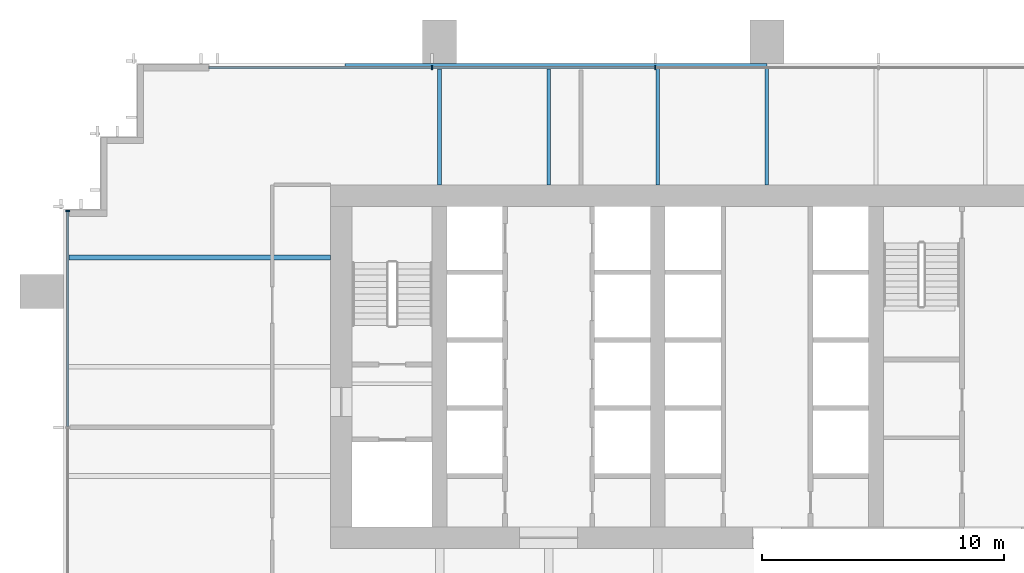
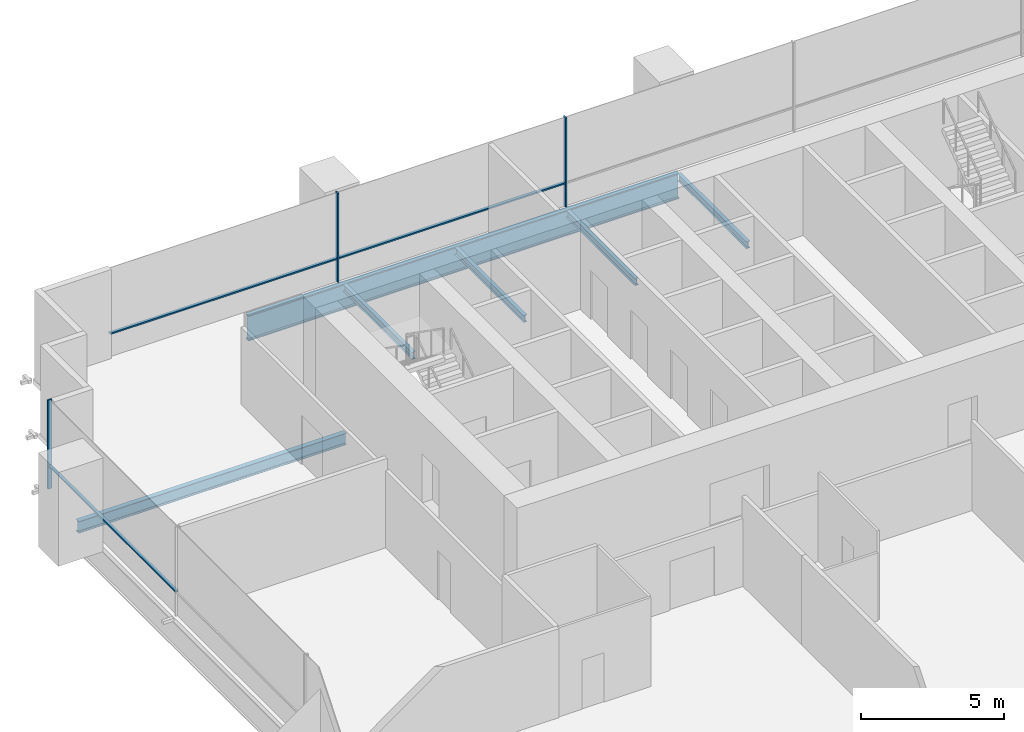
# One storey, part 7 of 14: 6 beams, 6 members, 2 elements without a shape of their own.
"""IFC4 building model written with IfcOpenShell, lengths in metres."""

from ifc_helpers import new_model, si_unit, direction, frame, origin, origin_2d, place, context, subcontext, project, spatial, rectangle, i_section, extrude, material, material_profile, profile_set, type_object, element, aggregate, save


model = new_model("IFC4")

# Units and contexts
model_context = context("Model", 3, precision=1e-05, world=origin(), true_north=direction((0.0, 1.0)))
body_context = subcontext(model_context, "Body", "Model", "MODEL_VIEW")
ifc_project = project(units=[si_unit("LENGTHUNIT", "METRE"), si_unit("AREAUNIT", "SQUARE_METRE"), si_unit("VOLUMEUNIT", "CUBIC_METRE"), si_unit("PLANEANGLEUNIT", "RADIAN"), si_unit("MASSUNIT", "GRAM", prefix="KILO")], contexts=[model_context])

# Site, building, storey
site_placement = place(None, origin())
site = spatial("IfcSite", under=ifc_project, at=site_placement, CompositionType="ELEMENT")
building_placement = place(site_placement, origin())
building = spatial("IfcBuilding", under=site, at=building_placement, Name="Rattan Terrace Tower", CompositionType="ELEMENT")
storey_placement = place(building_placement, frame((0.0, 0.0, 154.10009765625)))
storey = spatial("IfcBuildingStorey", under=building, at=storey_placement, Name="L35", CompositionType="ELEMENT", Elevation=154.10009765625)

# Curtain wall, members
ifc_material_1 = material(Name="Aluminium and glass", Category="aluminium")
curtain_wall_type = type_object("IfcCurtainWallType", Name="Facade Unitised Curtain Wall", PredefinedType="NOTDEFINED", material=ifc_material_1)
curtain_wall_1_placement = place(storey_placement, origin())
curtain_wall_1 = element("IfcCurtainWall", 1, at=curtain_wall_1_placement, inside=storey, type_object=curtain_wall_type, Name="Curtain wall L35-2", PredefinedType="NOTDEFINED")
ifc_material_2 = material(Name="Aluminium", Category="aluminium")
ifc_material_profile_1 = material_profile(ifc_material_2, rectangle(XDim=0.06005859375, YDim=0.159912109375, at=origin_2d()), Name="Aluminium 60x160")
ifc_profile_set_1 = profile_set([ifc_material_profile_1], Name="Aluminium")
member_type_1 = type_object("IfcMemberType", Name="Facade CW Mullion 60x160", PredefinedType="MULLION", material=ifc_profile_set_1)
member_1_placement = place(storey_placement, frame((-4.60302734375, 12.330078125, 0.0), z_axis=(0.0, 0.0, 1.0), x_axis=(-1.0, 0.0, 0.0)))
member_1 = element("IfcMember", 2, at=member_1_placement, type_object=member_type_1, Name="Mullion cwl-L35-002.4", PredefinedType="MULLION", context=body_context, shape_type="SweptSolid", body=[
    extrude(rectangle(XDim=0.06005859375, YDim=0.159912109375, at=origin_2d()), origin(), (0.0, 0.0, 1.0), 3.7998046875),
])
member_2_placement = place(storey_placement, frame((-13.803955078125, 12.330078125, 0.0), z_axis=(0.0, 0.0, 1.0), x_axis=(-1.0, 0.0, 0.0)))
member_2 = element("IfcMember", 3, at=member_2_placement, type_object=member_type_1, Name="Mullion cwl-L35-002.5", PredefinedType="MULLION", context=body_context, shape_type="SweptSolid", body=[
    extrude(rectangle(XDim=0.06005859375, YDim=0.159912109375, at=origin_2d()), origin(), (0.0, 0.0, 1.0), 3.7998046875),
])

# Curtain wall, member
curtain_wall_2_placement = place(storey_placement, origin())
curtain_wall_2 = element("IfcCurtainWall", 4, at=curtain_wall_2_placement, inside=storey, type_object=curtain_wall_type, Name="Curtain wall L35-3", PredefinedType="NOTDEFINED")
member_3_placement = place(storey_placement, frame((-28.830078125, 6.425048828125, 0.0), z_axis=(0.0, 0.0, 1.0), x_axis=(0.0, -1.0, 0.0)))
member_3 = element("IfcMember", 5, at=member_3_placement, type_object=member_type_1, Name="Mullion cwl-L35-003.1", PredefinedType="MULLION", context=body_context, shape_type="SweptSolid", body=[
    extrude(rectangle(XDim=0.06005859375, YDim=0.159912109375, at=origin_2d()), origin(), (0.0, 0.0, 1.0), 3.7998046875),
])

# Member
ifc_material_3 = material(Name="Aluminium", Category="aluminium")
ifc_material_profile_2 = material_profile(ifc_material_3, rectangle(XDim=0.1201171875, YDim=0.06005859375, at=origin_2d()), Name="Aluminium 120x60")
ifc_profile_set_2 = profile_set([ifc_material_profile_2], Name="Aluminium")
member_type_2 = type_object("IfcMemberType", Name="Facade CW Transom 120x60", PredefinedType="USERDEFINED", material=ifc_profile_set_2)
member_4_placement = place(storey_placement, frame((-4.633056640625, 12.330078125, 1.0), z_axis=(-1.0, 0.0, 0.0), x_axis=(0.0, -1.0, 0.0)))
member_4 = element("IfcMember", 6, at=member_4_placement, type_object=member_type_2, Name="Transom cwl-L35-002.4", ObjectType="TRANSOM", PredefinedType="USERDEFINED", context=body_context, shape_type="SweptSolid", body=[
    extrude(rectangle(XDim=0.1201171875, YDim=0.06005859375, at=origin_2d()), origin(), (0.0, 0.0, 1.0), 9.140869140625),
])

member_5_placement = place(storey_placement, frame((-13.833984375, 12.330078125, 1.0), z_axis=(-1.0, 0.0, 0.0), x_axis=(0.0, -1.0, 0.0)))
member_5 = element("IfcMember", 7, at=member_5_placement, type_object=member_type_2, Name="Transom cwl-L35-002.5", ObjectType="TRANSOM", PredefinedType="USERDEFINED", context=body_context, shape_type="SweptSolid", body=[
    extrude(rectangle(XDim=0.1201171875, YDim=0.06005859375, at=origin_2d()), origin(), (0.0, 0.0, 1.0), 9.166015625),
])

aggregate(curtain_wall_1, [member_1, member_2, member_4, member_5])

member_6_placement = place(storey_placement, frame((-28.830078125, 6.39501953125, 1.0), z_axis=(0.0, -1.0, 0.0), x_axis=(1.0, 0.0, 0.0)))
member_6 = element("IfcMember", 8, at=member_6_placement, type_object=member_type_2, Name="Transom cwl-L35-003.1", ObjectType="TRANSOM", PredefinedType="USERDEFINED", context=body_context, shape_type="SweptSolid", body=[
    extrude(rectangle(XDim=0.1201171875, YDim=0.06005859375, at=origin_2d()), origin(), (0.0, 0.0, 1.0), 8.864990234375),
])

aggregate(curtain_wall_2, [member_3, member_6])

# Beams
ifc_material_4 = material(Name="Steel S460", Category="steel")
ifc_material_profile_3 = material_profile(ifc_material_4, i_section(OverallWidth=0.179931640625, OverallDepth=1.10009765625, WebThickness=0.01611328125, FlangeThickness=0.050048828125, at=origin_2d()), Name="PG 1100x180-16-50")
ifc_profile_set_3 = profile_set([ifc_material_profile_3], Name="Steel S460")
beam_type_1 = type_object("IfcBeamType", Name="Frame edge girder PG 1100x180-16-50", PredefinedType="SPANDREL", material=ifc_profile_set_3)
beam_1_placement = place(storey_placement, frame((-17.39990234375, 12.409912109375, -0.75), z_axis=(1.0, 0.0, 0.0), x_axis=(0.0, 1.0, 0.0)))
element("IfcBeam", 9, at=beam_1_placement, inside=storey, type_object=beam_type_1, Name="gdr-L35-005", PredefinedType="SPANDREL", context=body_context, shape_type="SweptSolid", body=[
    extrude(i_section(OverallWidth=0.179931640625, OverallDepth=1.10009765625, WebThickness=0.01611328125, FlangeThickness=0.050048828125, at=origin_2d()), origin(), (0.0, 0.0, 1.0), 17.39990234375),
])
ifc_material_5 = material(Name="Steel S355", Category="steel")
ifc_material_profile_4 = material_profile(ifc_material_5, i_section(OverallWidth=0.14990234375, OverallDepth=0.300048828125, WebThickness=0.007080078125, FlangeThickness=0.0107421875, FilletRadius=0.014892578125, at=origin_2d()), Name="IPE 300")
ifc_profile_set_4 = profile_set([ifc_material_profile_4], Name="Steel S355")
beam_type_2 = type_object("IfcBeamType", Name="Frame floor beam IPE 300", PredefinedType="JOIST", material=ifc_profile_set_4)
for number, where, z_axis, x_axis, name in (
    (10, (-13.5, 7.5, -0.35009765625), (0.0, 1.0, 0.0), (-1.0, 0.0, 0.0), "bm-L35-016"),
    (11, (-9.0, 7.5, -0.35009765625), (0.0, 1.0, 0.0), (-1.0, 0.0, 0.0), "bm-L35-017"),
    (12, (-4.5, 7.5, -0.35009765625), (0.0, 1.0, 0.0), (-1.0, 0.0, 0.0), "bm-L35-018"),
    (13, (0.0, 7.5, -0.35009765625), (0.0, 1.0, 0.0), (-1.0, 0.0, 0.0), "bm-L35-019"),
):
    element("IfcBeam", number, at=place(storey_placement, frame(where, z_axis=z_axis, x_axis=x_axis)), inside=storey, type_object=beam_type_2, Name=name, PredefinedType="JOIST", context=body_context, shape_type="SweptSolid", body=[
        extrude(i_section(OverallWidth=0.14990234375, OverallDepth=0.300048828125, WebThickness=0.007080078125, FlangeThickness=0.0107421875, FilletRadius=0.014892578125, at=origin_2d()), origin(), (0.0, 0.0, 1.0), 4.820068359375),
    ])
ifc_material_6 = material(Name="Steel S355", Category="steel")
ifc_material_profile_5 = material_profile(ifc_material_6, i_section(OverallWidth=0.199951171875, OverallDepth=0.5, WebThickness=0.01025390625, FlangeThickness=0.01611328125, FilletRadius=0.02099609375, at=origin_2d()), Name="IPE 500")
ifc_profile_set_5 = profile_set([ifc_material_profile_5], Name="Steel S355")
beam_type_3 = type_object("IfcBeamType", Name="Frame floor beam IPE 500", PredefinedType="JOIST", material=ifc_profile_set_5)
beam_2_placement = place(storey_placement, frame((-28.820068359375, 4.5, -0.4501953125), z_axis=(1.0, 0.0, 0.0), x_axis=(0.0, 1.0, 0.0)))
element("IfcBeam", 14, at=beam_2_placement, inside=storey, type_object=beam_type_3, Name="bm-L35-014", PredefinedType="JOIST", context=body_context, shape_type="SweptSolid", body=[
    extrude(i_section(OverallWidth=0.199951171875, OverallDepth=0.5, WebThickness=0.01025390625, FlangeThickness=0.01611328125, FilletRadius=0.02099609375, at=origin_2d()), origin(), (0.0, 0.0, 1.0), 10.820068359375),
])

save(model, "model.ifc")
